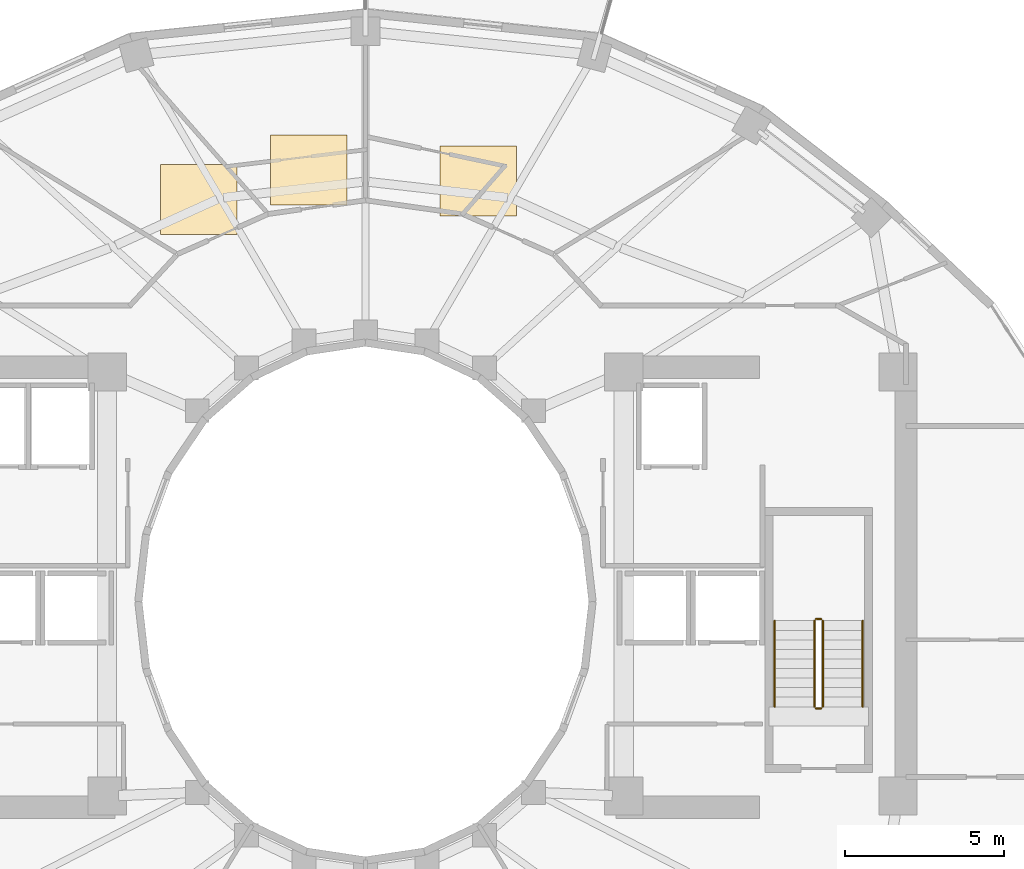
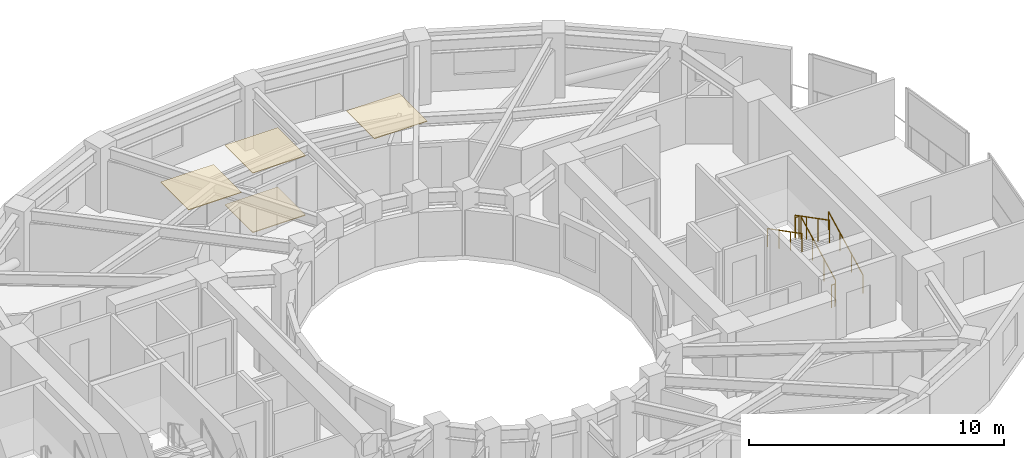
# One storey, part 12 of 13: 6 railings, 4 coverings.
"""IFC4 building model written with IfcOpenShell, lengths in metres."""

from ifc_helpers import new_model, si_unit, direction, frame, origin, origin_2d, place, context, subcontext, project, spatial, polyline, circle, outline, extrude, material, layer, layer_set, type_object, element, save


model = new_model("IFC4")

# Units and contexts
model_context = context("Model", 3, precision=1e-05, world=origin(), true_north=direction((0.0, 1.0)))
body_context = subcontext(model_context, "Body", "Model", "MODEL_VIEW")
ifc_project = project(units=[si_unit("LENGTHUNIT", "METRE"), si_unit("AREAUNIT", "SQUARE_METRE"), si_unit("VOLUMEUNIT", "CUBIC_METRE"), si_unit("PLANEANGLEUNIT", "RADIAN"), si_unit("MASSUNIT", "GRAM", prefix="KILO")], contexts=[model_context])

# Site, building, storey
site_placement = place(None, origin())
site = spatial("IfcSite", under=ifc_project, at=site_placement, CompositionType="ELEMENT")
building_placement = place(site_placement, origin())
building = spatial("IfcBuilding", under=site, at=building_placement, Name="Solvane Sanctuary Tower", CompositionType="ELEMENT")
storey_placement = place(building_placement, frame((0.0, 0.0, 156.0)))
storey = spatial("IfcBuildingStorey", under=building, at=storey_placement, Name="L47", CompositionType="ELEMENT", Elevation=156.0)

# Coverings
ifc_material_1 = material(Name="Acoustic Gypsum Partition Board")
ifc_layer_1 = layer(ifc_material_1, 0.02490234375, Name="Acoustic Gypsum Partition Board")
ifc_layer_set_1 = layer_set([ifc_layer_1], Name="Acoustic Gypsum Partition Board")
covering_type_1 = type_object("IfcCoveringType", Name="Covering CLG-ACOUST", PredefinedType="CEILING", material=ifc_layer_set_1)
covering_1_placement = place(storey_placement, frame((0.0, 0.0, 2.85009765625)))
element("IfcCovering", 1, at=covering_1_placement, inside=storey, type_object=covering_type_1, Name="L47 Unit Acoustic Ceiling Panel 1", PredefinedType="CEILING", context=body_context, shape_type="SweptSolid", body=[
    extrude(outline(polyline([(34.3330078125, 35.0849609375), (36.73291015625, 35.0849609375), (36.73291015625, 37.284912109375), (34.3330078125, 37.284912109375), (34.3330078125, 35.0849609375)])), origin(), (0.0, 0.0, 1.0), 0.02978515625),
])
covering_2_placement = place(storey_placement, frame((0.0, 0.0, 2.85009765625)))
element("IfcCovering", 2, at=covering_2_placement, inside=storey, type_object=covering_type_1, Name="L47 Unit Acoustic Ceiling Panel 2", PredefinedType="CEILING", context=body_context, shape_type="SweptSolid", body=[
    extrude(outline(polyline([(29.01806640625, 35.43310546875), (31.41796875, 35.43310546875), (31.41796875, 37.633056640625), (29.01806640625, 37.633056640625), (29.01806640625, 35.43310546875)])), origin(), (0.0, 0.0, 1.0), 0.02978515625),
])
covering_3_placement = place(storey_placement, frame((0.0, 0.0, 2.85009765625)))
element("IfcCovering", 3, at=covering_3_placement, inside=storey, type_object=covering_type_1, Name="L47 Unit Acoustic Ceiling Panel 3", PredefinedType="CEILING", context=body_context, shape_type="SweptSolid", body=[
    extrude(outline(polyline([(25.575927734375, 34.510986328125), (27.97607421875, 34.510986328125), (27.97607421875, 36.7109375), (25.575927734375, 36.7109375), (25.575927734375, 34.510986328125)])), origin(), (0.0, 0.0, 1.0), 0.02978515625),
])
ifc_material_2 = material(Name="Ceramic Tile Finish")
ifc_layer_2 = layer(ifc_material_2, 0.030029296875, Name="Ceramic Tile Finish")
ifc_layer_set_2 = layer_set([ifc_layer_2], Name="Ceramic Tile Finish")
covering_type_2 = type_object("IfcCoveringType", Name="Covering FLR-TERRAZZO", PredefinedType="FLOORING", material=ifc_layer_set_2)
covering_4_placement = place(storey_placement, origin())
element("IfcCovering", 4, at=covering_4_placement, inside=storey, type_object=covering_type_2, Name="L47 Unit Terrazzo Inlay 2", PredefinedType="FLOORING", context=body_context, shape_type="SweptSolid", body=[
    extrude(outline(polyline([(29.01806640625, 35.43310546875), (31.41796875, 35.43310546875), (31.41796875, 37.633056640625), (29.01806640625, 37.633056640625), (29.01806640625, 35.43310546875)])), origin(), (0.0, 0.0, 1.0), 0.034912109375),
])

# Railings
ifc_material_3 = material(Name="Architectural Stainless Steel 316", Category="steel")
railing_type_1 = type_object("IfcRailingType", Name="Railing GR-BALC-1150", PredefinedType="BALUSTRADE", material=ifc_material_3)
railing_1_placement = place(storey_placement, frame((46.340087890625, 19.699951171875, 0.155029296875)))
element("IfcRailing", 5, at=railing_1_placement, inside=storey, type_object=railing_type_1, Name="L47 ST-2 stair guard 1", PredefinedType="BALUSTRADE", context=body_context, shape_type="SweptSolid", body=[
    extrude(circle(Radius=0.02392578125, at=origin_2d()), frame((0.0, 0.0, 1.076171875), z_axis=(0.0, 0.888419900624, 0.459031676658), x_axis=(-1.0, 0.0, 0.0)), (0.0, 0.0, 1.0), 3.0390625),
    extrude(circle(Radius=0.02099609375, at=origin_2d()), origin(), (0.0, 0.0, 1.0), 1.052001953125),
    extrude(circle(Radius=0.02099609375, at=origin_2d()), frame((0.0, 0.89990234375, 0.465087890625)), (0.0, 0.0, 1.0), 1.052001953125),
    extrude(circle(Radius=0.02099609375, at=origin_2d()), frame((0.0, 1.800048828125, 0.929931640625)), (0.0, 0.0, 1.0), 1.052001953125),
    extrude(circle(Radius=0.02099609375, at=origin_2d()), frame((0.0, 2.699951171875, 1.39501953125)), (0.0, 0.0, 1.0), 1.052001953125),
])
railing_2_placement = place(storey_placement, frame((46.2900390625, 22.449951171875, 1.550048828125)))
element("IfcRailing", 6, at=railing_2_placement, inside=storey, type_object=railing_type_1, Name="L47 ST-2 stair guard 2", PredefinedType="BALUSTRADE", context=body_context, shape_type="SweptSolid", body=[
    extrude(circle(Radius=0.02392578125, at=origin_2d()), frame((0.0, 0.0, 1.076171875), z_axis=(-1.0, 0.0, 0.0), x_axis=(0.0, -1.0, 0.0)), (0.0, 0.0, 1.0), 0.16015625),
    extrude(circle(Radius=0.02099609375, at=origin_2d()), origin(), (0.0, 0.0, 1.0), 1.052001953125),
    extrude(circle(Radius=0.02099609375, at=origin_2d()), frame((-0.16015625, 0.0, 0.0)), (0.0, 0.0, 1.0), 1.052001953125),
])
railing_3_placement = place(storey_placement, frame((46.080078125, 22.39990234375, 1.705078125)))
element("IfcRailing", 7, at=railing_3_placement, inside=storey, type_object=railing_type_1, Name="L47 ST-2 stair guard 3", PredefinedType="BALUSTRADE", context=body_context, shape_type="SweptSolid", body=[
    extrude(circle(Radius=0.02392578125, at=origin_2d()), frame((0.0, 0.0, 1.076171875), z_axis=(0.0, -0.888419900624, 0.459031676658), x_axis=(1.0, 0.0, 0.0)), (0.0, 0.0, 1.0), 3.0390625),
    extrude(circle(Radius=0.02099609375, at=origin_2d()), origin(), (0.0, 0.0, 1.0), 1.052001953125),
    extrude(circle(Radius=0.02099609375, at=origin_2d()), frame((0.0, -0.89990234375, 0.465087890625)), (0.0, 0.0, 1.0), 1.052001953125),
    extrude(circle(Radius=0.02099609375, at=origin_2d()), frame((0.0, -1.800048828125, 0.929931640625)), (0.0, 0.0, 1.0), 1.052001953125),
    extrude(circle(Radius=0.02099609375, at=origin_2d()), frame((0.0, -2.699951171875, 1.39501953125)), (0.0, 0.0, 1.0), 1.052001953125),
])
railing_4_placement = place(storey_placement, frame((46.2900390625, 19.64990234375, 0.0)))
element("IfcRailing", 8, at=railing_4_placement, inside=storey, type_object=railing_type_1, Name="L47 ST-2 stair guard 4", PredefinedType="BALUSTRADE", context=body_context, shape_type="SweptSolid", body=[
    extrude(circle(Radius=0.02392578125, at=origin_2d()), frame((0.0, 0.0, 1.076171875), z_axis=(-1.0, 0.0, 0.0), x_axis=(0.0, -1.0, 0.0)), (0.0, 0.0, 1.0), 0.16015625),
    extrude(circle(Radius=0.02099609375, at=origin_2d()), origin(), (0.0, 0.0, 1.0), 1.052001953125),
    extrude(circle(Radius=0.02099609375, at=origin_2d()), frame((-0.16015625, 0.0, 0.0)), (0.0, 0.0, 1.0), 1.052001953125),
])
railing_type_2 = type_object("IfcRailingType", Name="Railing HR-STAIR-920", PredefinedType="HANDRAIL", material=ifc_material_3)
railing_5_placement = place(storey_placement, frame((47.590087890625, 19.699951171875, 0.155029296875)))
element("IfcRailing", 9, at=railing_5_placement, inside=storey, type_object=railing_type_2, Name="L47 ST-2 stair handrail 1", PredefinedType="HANDRAIL", context=body_context, shape_type="SweptSolid", body=[
    extrude(circle(Radius=0.02392578125, at=origin_2d()), frame((0.0, 0.0, 0.8759765625), z_axis=(0.0, 0.888419900624, 0.459031676658), x_axis=(-1.0, 0.0, 0.0)), (0.0, 0.0, 1.0), 3.0390625),
    extrude(circle(Radius=0.02099609375, at=origin_2d()), origin(), (0.0, 0.0, 1.0), 0.851806640625),
    extrude(circle(Radius=0.02099609375, at=origin_2d()), frame((0.0, 0.89990234375, 0.465087890625)), (0.0, 0.0, 1.0), 0.851806640625),
    extrude(circle(Radius=0.02099609375, at=origin_2d()), frame((0.0, 1.800048828125, 0.929931640625)), (0.0, 0.0, 1.0), 0.851806640625),
    extrude(circle(Radius=0.02099609375, at=origin_2d()), frame((0.0, 2.699951171875, 1.39501953125)), (0.0, 0.0, 1.0), 0.851806640625),
])
railing_6_placement = place(storey_placement, frame((44.830078125, 22.39990234375, 1.705078125)))
element("IfcRailing", 10, at=railing_6_placement, inside=storey, type_object=railing_type_2, Name="L47 ST-2 stair handrail 2", PredefinedType="HANDRAIL", context=body_context, shape_type="SweptSolid", body=[
    extrude(circle(Radius=0.02392578125, at=origin_2d()), frame((0.0, 0.0, 0.8759765625), z_axis=(0.0, -0.888419900624, 0.459031676658), x_axis=(1.0, 0.0, 0.0)), (0.0, 0.0, 1.0), 3.0390625),
    extrude(circle(Radius=0.02099609375, at=origin_2d()), origin(), (0.0, 0.0, 1.0), 0.851806640625),
    extrude(circle(Radius=0.02099609375, at=origin_2d()), frame((0.0, -0.89990234375, 0.465087890625)), (0.0, 0.0, 1.0), 0.851806640625),
    extrude(circle(Radius=0.02099609375, at=origin_2d()), frame((0.0, -1.800048828125, 0.929931640625)), (0.0, 0.0, 1.0), 0.851806640625),
    extrude(circle(Radius=0.02099609375, at=origin_2d()), frame((0.0, -2.699951171875, 1.39501953125)), (0.0, 0.0, 1.0), 0.851806640625),
])

save(model, "model.ifc")
